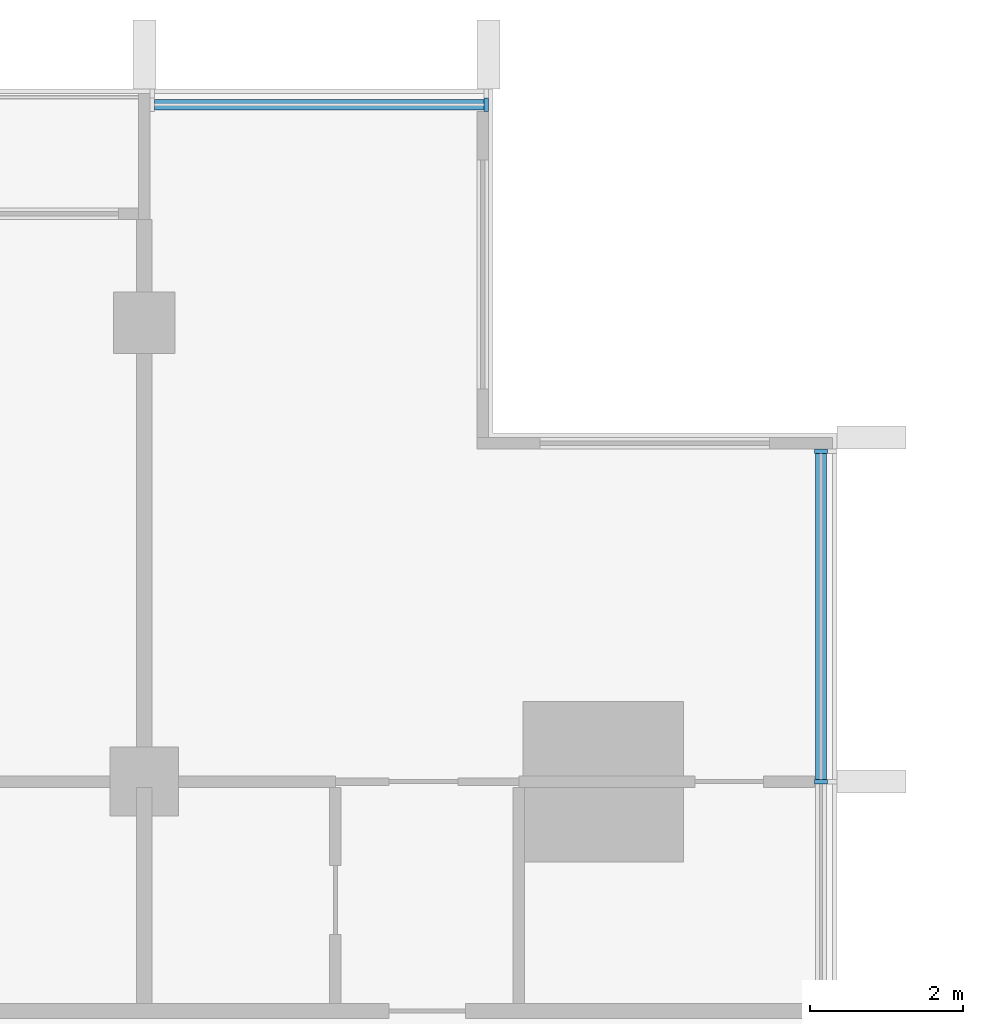
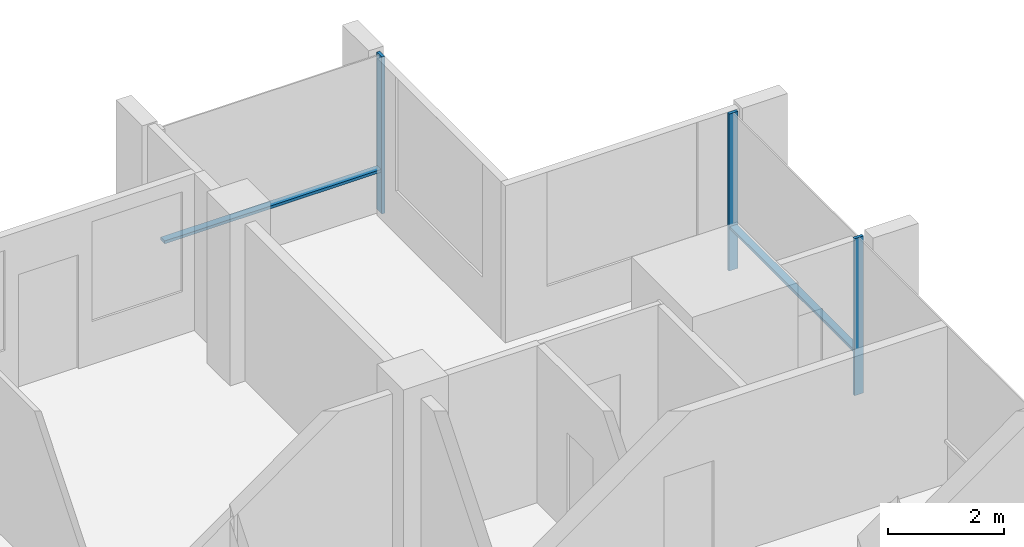
# One storey, part 5 of 16: 5 members, 2 elements without a shape of their own.
"""IFC4 building model written with IfcOpenShell, lengths in metres."""

from ifc_helpers import new_model, si_unit, direction, frame, origin, origin_2d, place, context, subcontext, project, spatial, rectangle, extrude, material, material_profile, profile_set, type_object, element, aggregate, save


model = new_model("IFC4")

# Units and contexts
model_context = context("Model", 3, precision=1e-05, world=origin(), true_north=direction((0.0, 1.0)))
body_context = subcontext(model_context, "Body", "Model", "MODEL_VIEW")
ifc_project = project(units=[si_unit("LENGTHUNIT", "METRE"), si_unit("AREAUNIT", "SQUARE_METRE"), si_unit("VOLUMEUNIT", "CUBIC_METRE"), si_unit("PLANEANGLEUNIT", "RADIAN"), si_unit("MASSUNIT", "GRAM", prefix="KILO")], contexts=[model_context])

# Site, building, storey
site_placement = place(None, origin())
site = spatial("IfcSite", under=ifc_project, at=site_placement, CompositionType="ELEMENT")
building_placement = place(site_placement, origin())
building = spatial("IfcBuilding", under=site, at=building_placement, Name="Finial Court Residences", CompositionType="ELEMENT")
storey_placement = place(building_placement, frame((0.0, 0.0, 233.89990234375)))
storey = spatial("IfcBuildingStorey", under=building, at=storey_placement, Name="L59", CompositionType="ELEMENT", Elevation=233.89990234375)

# Curtain wall, member
ifc_material = material(Name="Bronze anodised aluminium", Category="aluminium")
curtain_wall_type = type_object("IfcCurtainWallType", Name="Unitised curtain wall, upper zones", PredefinedType="NOTDEFINED", material=ifc_material)
curtain_wall_1_placement = place(storey_placement, origin())
curtain_wall_1 = element("IfcCurtainWall", 1, at=curtain_wall_1_placement, inside=storey, type_object=curtain_wall_type, Name="E-L59-CW-N3", PredefinedType="NOTDEFINED")
ifc_material_profile_1 = material_profile(ifc_material, rectangle(XDim=0.175048828125, YDim=0.06005859375, at=origin_2d()), Name="CW2 mullion 60 x 175")
ifc_profile_set_1 = profile_set([ifc_material_profile_1], Name="Bronze anodised aluminium")
member_type_1 = type_object("IfcMemberType", Name="CW2 mullion 60 x 175", PredefinedType="MULLION", material=ifc_profile_set_1)
member_1_placement = place(storey_placement, frame((14.969970703125, 16.35009765625, 0.0), z_axis=(0.0, 0.0, 1.0), x_axis=(0.0, 1.0, 0.0)))
member_1 = element("IfcMember", 2, at=member_1_placement, type_object=member_type_1, Name="CW2 mullion 2", PredefinedType="MULLION", context=body_context, shape_type="SweptSolid", body=[
    extrude(rectangle(XDim=0.175048828125, YDim=0.06005859375, at=origin_2d()), origin(), (0.0, 0.0, 1.0), 3.300048828125),
])

# Curtain wall, members
curtain_wall_2_placement = place(storey_placement, origin())
curtain_wall_2 = element("IfcCurtainWall", 3, at=curtain_wall_2_placement, inside=storey, type_object=curtain_wall_type, Name="E-L59-CW-E7", PredefinedType="NOTDEFINED")
member_2_placement = place(storey_placement, frame((19.35009765625, 7.5, 0.0), z_axis=(0.0, 0.0, 1.0), x_axis=(-1.0, 0.0, 0.0)))
member_2 = element("IfcMember", 4, at=member_2_placement, type_object=member_type_1, Name="CW2 mullion 2", PredefinedType="MULLION", context=body_context, shape_type="SweptSolid", body=[
    extrude(rectangle(XDim=0.175048828125, YDim=0.06005859375, at=origin_2d()), origin(), (0.0, 0.0, 1.0), 3.300048828125),
])
member_3_placement = place(storey_placement, frame((19.35009765625, 11.820068359375, 0.0), z_axis=(0.0, 0.0, 1.0), x_axis=(-1.0, 0.0, 0.0)))
member_3 = element("IfcMember", 5, at=member_3_placement, type_object=member_type_1, Name="CW2 mullion 3", PredefinedType="MULLION", context=body_context, shape_type="SweptSolid", body=[
    extrude(rectangle(XDim=0.175048828125, YDim=0.06005859375, at=origin_2d()), origin(), (0.0, 0.0, 1.0), 3.300048828125),
])

# Member
ifc_material_profile_2 = material_profile(ifc_material, rectangle(XDim=0.139892578125, YDim=0.06005859375, at=origin_2d()), Name="CW2 transom 60 x 140")
ifc_profile_set_2 = profile_set([ifc_material_profile_2], Name="Bronze anodised aluminium")
member_type_2 = type_object("IfcMemberType", Name="CW2 transom 60 x 140", PredefinedType="USERDEFINED", material=ifc_profile_set_2)
member_4_placement = place(storey_placement, frame((10.635009765625, 16.35009765625, 0.900146484375), z_axis=(1.0, 0.0, 0.0), x_axis=(0.0, 1.0, 0.0)))
member_4 = element("IfcMember", 6, at=member_4_placement, type_object=member_type_2, Name="CW2 transom 1.1", ObjectType="TRANSOM", PredefinedType="USERDEFINED", context=body_context, shape_type="SweptSolid", body=[
    extrude(rectangle(XDim=0.139892578125, YDim=0.06005859375, at=origin_2d()), origin(), (0.0, 0.0, 1.0), 4.304931640625),
])

aggregate(curtain_wall_1, [member_1, member_4])

member_5_placement = place(storey_placement, frame((19.35009765625, 7.530029296875, 0.900146484375), z_axis=(0.0, 1.0, 0.0), x_axis=(-1.0, 0.0, 0.0)))
member_5 = element("IfcMember", 7, at=member_5_placement, type_object=member_type_2, Name="CW2 transom 2.1", ObjectType="TRANSOM", PredefinedType="USERDEFINED", context=body_context, shape_type="SweptSolid", body=[
    extrude(rectangle(XDim=0.139892578125, YDim=0.06005859375, at=origin_2d()), origin(), (0.0, 0.0, 1.0), 4.260009765625),
])

aggregate(curtain_wall_2, [member_2, member_3, member_5])

save(model, "model.ifc")
